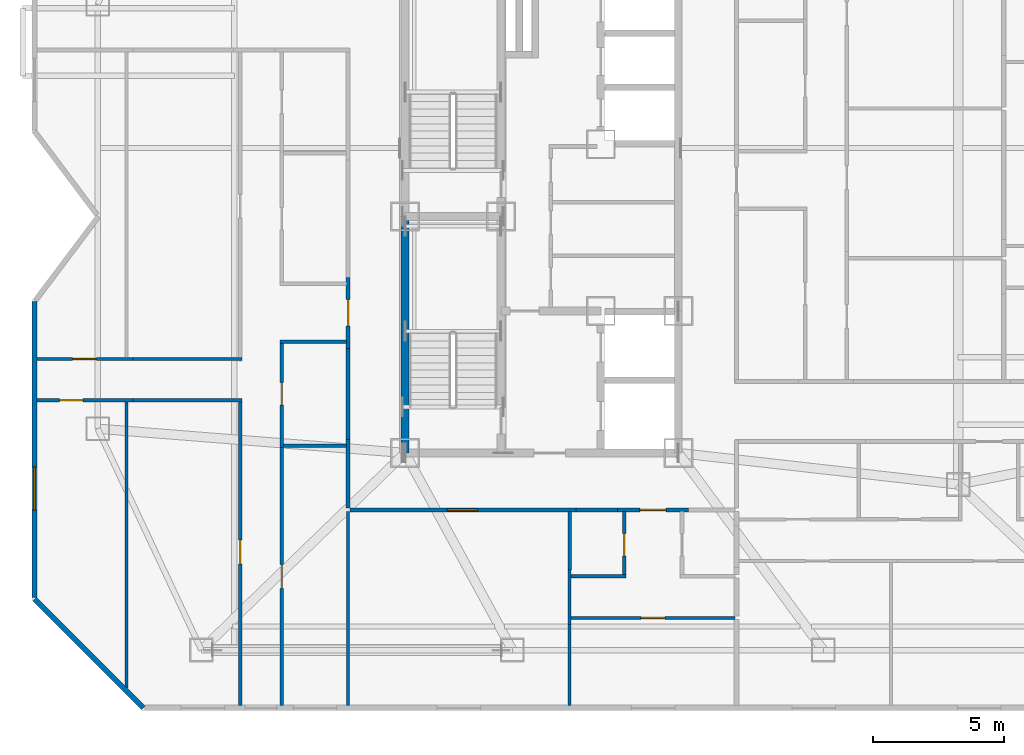
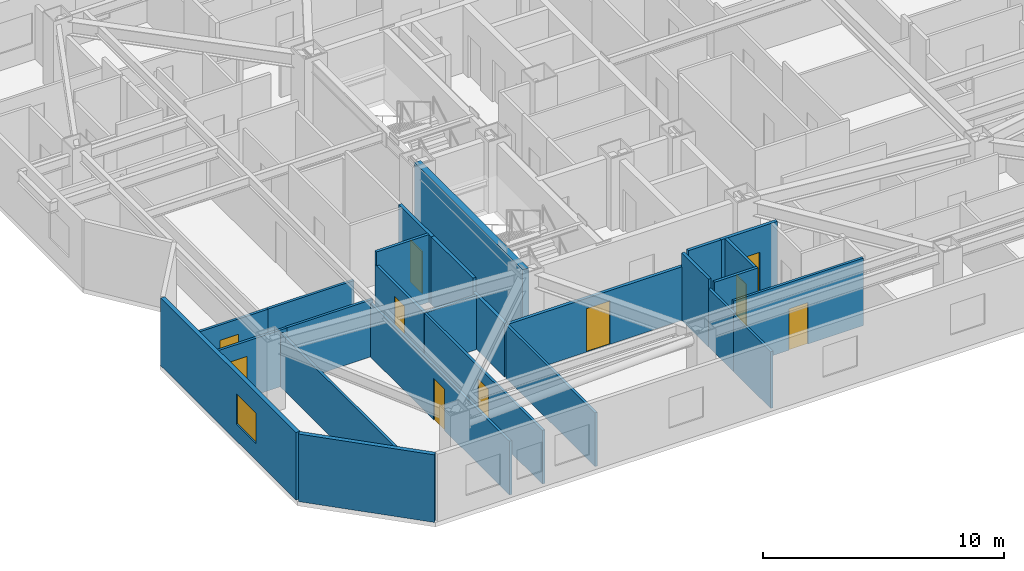
# One storey, part 5 of 12: 26 walls, 10 doors, 1 window, 11 openings.
"""IFC4 building model written with IfcOpenShell, lengths in metres."""

from ifc_helpers import new_model, si_unit, direction, frame, frame_2d, origin, place, context, subcontext, project, spatial, rectangle, extrude, material, layer, layer_set, type_object, element, fill, save


model = new_model("IFC4")

# Units and contexts
model_context = context("Model", 3, precision=1e-05, world=origin(), true_north=direction((0.0, 1.0)))
body_context = subcontext(model_context, "Body", "Model", "MODEL_VIEW")
ifc_project = project(units=[si_unit("LENGTHUNIT", "METRE"), si_unit("AREAUNIT", "SQUARE_METRE"), si_unit("VOLUMEUNIT", "CUBIC_METRE"), si_unit("PLANEANGLEUNIT", "RADIAN"), si_unit("MASSUNIT", "GRAM", prefix="KILO")], contexts=[model_context])

# Site, building, storey
site_placement = place(None, origin())
site = spatial("IfcSite", under=ifc_project, at=site_placement, CompositionType="ELEMENT")
building_placement = place(site_placement, origin())
building = spatial("IfcBuilding", under=site, at=building_placement, Name="Khamvora Tower", CompositionType="ELEMENT")
storey_placement = place(building_placement, frame((0.0, 0.0, 188.75)))
storey = spatial("IfcBuildingStorey", under=building, at=storey_placement, Name="L48", CompositionType="ELEMENT", Elevation=188.75)

# Wall
ifc_material_1 = material(Name="Concrete C50/60", Category="concrete")
ifc_layer_1 = layer(ifc_material_1, 0.300048828125)
ifc_layer_set_1 = layer_set([ifc_layer_1], Name="Concrete C50/60")
wall_type_1 = type_object("IfcWallType", Name="WAL-CORE-300", PredefinedType="SHEAR", material=ifc_layer_set_1)
wall_1_placement = place(storey_placement, frame((29.0, 19.0, 0.0), z_axis=(0.0, 0.0, 1.0), x_axis=(0.0, 1.0, 0.0)))
element("IfcWall", 1, at=wall_1_placement, inside=storey, type_object=wall_type_1, Name="L48 central core west south wall", PredefinedType="SHEAR", context=body_context, shape_type="SweptSolid", body=[
    extrude(rectangle(XDim=9.0, YDim=0.300048828125, at=frame_2d((4.5, 0.0))), origin(), (0.0, 0.0, 1.0), 3.429931640625),
])

# Wall, opening, door
ifc_material_2 = material(Name="Fire-Rated Drywall and Steel Stud", Category="steel")
ifc_layer_2 = layer(ifc_material_2, 0.14990234375)
ifc_layer_set_2 = layer_set([ifc_layer_2], Name="Fire-Rated Drywall and Steel Stud")
wall_type_2 = type_object("IfcWallType", Name="WAL-CORR-150", PredefinedType="STANDARD", material=ifc_layer_set_2)
wall_2_placement = place(storey_placement, frame((35.513916015625, 16.8349609375, 0.0), z_axis=(0.0, 0.0, 1.0), x_axis=(-1.0, 0.0, 0.0)))
wall_2 = element("IfcWall", 2, at=wall_2_placement, inside=storey, type_object=wall_type_2, Name="L48 interior partition wall 007", PredefinedType="STANDARD", context=body_context, shape_type="SweptSolid", body=[
    extrude(rectangle(XDim=8.614013671875, YDim=0.14990234375, at=frame_2d((4.30712890625, 0.0))), origin(), (0.0, 0.0, 1.0), 2.72509765625),
])
opening_1_placement = place(wall_2_placement, frame((3.7529296875, 0.0, 0.0)))
opening_1 = element("IfcOpeningElement", 3, at=opening_1_placement, cuts=wall_2, Name="Opening D-SC1", PredefinedType="OPENING", context=body_context, shape_type="SweptSolid", body=[
    extrude(rectangle(XDim=1.14990234375, YDim=2.199951171875, at=frame_2d((0.574951171875, 1.10009765625))), frame((0.0, 0.0849609375, 0.0), z_axis=(0.0, -1.0, 0.0), x_axis=(1.0, 0.0, 0.0)), (0.0, 0.0, 1.0), 0.169921875),
])
ifc_material_3 = material(Name="Powder-Coated Steel and Hardwood Leaf", Category="steel")
door_type_1 = type_object("IfcDoorType", Name="DOR-SCHL-1150", OperationType="NOTDEFINED", PredefinedType="DOOR", material=ifc_material_3)
door_1_placement = place(opening_1_placement, origin())
door_1 = element("IfcDoor", 4, at=door_1_placement, inside=storey, type_object=door_type_1, Name="L48 interior door COR-RCOW", OperationType="SINGLE_SWING_RIGHT", OverallHeight=2.199951171875, OverallWidth=1.14990234375, PredefinedType="DOOR", context=body_context, shape_type="SweptSolid", body=[
    extrude(rectangle(XDim=1.14990234375, YDim=2.199951171875, at=frame_2d((0.574951171875, 1.10009765625))), frame((0.0, 0.02490234375, 0.0), z_axis=(0.0, -1.0, 0.0), x_axis=(1.0, 0.0, 0.0)), (0.0, 0.0, 1.0), 0.050048828125),
])
fill(opening_1, door_1)

# Wall
wall_3_placement = place(storey_placement, frame((26.8349609375, 16.89990234375, 0.0), z_axis=(0.0, 0.0, 1.0), x_axis=(0.0, 1.0, 0.0)))
element("IfcWall", 5, at=wall_3_placement, inside=storey, type_object=wall_type_2, Name="L48 interior partition wall 008", PredefinedType="STANDARD", context=body_context, shape_type="SweptSolid", body=[
    extrude(rectangle(XDim=2.6181640625, YDim=0.14990234375, at=frame_2d((1.30908203125, 0.0))), origin(), (0.0, 0.0, 1.0), 2.72509765625),
])

# Wall, opening, door
wall_4_placement = place(storey_placement, frame((26.8349609375, 22.985107421875, 0.0), z_axis=(0.0, 0.0, 1.0), x_axis=(0.0, 1.0, 0.0)))
wall_4 = element("IfcWall", 6, at=wall_4_placement, inside=storey, type_object=wall_type_2, Name="L48 interior partition wall 011", PredefinedType="STANDARD", context=body_context, shape_type="SweptSolid", body=[
    extrude(rectangle(XDim=2.697998046875, YDim=0.14990234375, at=frame_2d((1.34912109375, 0.0))), origin(), (0.0, 0.0, 1.0), 3.429931640625),
])
opening_2_placement = place(wall_4_placement, frame((0.84912109375, 0.0, 0.0)))
opening_2 = element("IfcOpeningElement", 7, at=opening_2_placement, cuts=wall_4, Name="Opening D-U1", PredefinedType="OPENING", context=body_context, shape_type="SweptSolid", body=[
    extrude(rectangle(XDim=1.0, YDim=2.14990234375, at=frame_2d((0.5, 1.074951171875))), frame((0.0, 0.0849609375, 0.0), z_axis=(0.0, -1.0, 0.0), x_axis=(1.0, 0.0, 0.0)), (0.0, 0.0, 1.0), 0.169921875),
])
door_type_2 = type_object("IfcDoorType", Name="DOR-UNIT-1000", OperationType="NOTDEFINED", PredefinedType="DOOR", material=ifc_material_3)
door_2_placement = place(opening_2_placement, origin())
door_2 = element("IfcDoor", 8, at=door_2_placement, inside=storey, type_object=door_type_2, Name="L48 interior door COR-48WAH", OperationType="SINGLE_SWING_LEFT", OverallHeight=2.14990234375, OverallWidth=1.0, PredefinedType="DOOR", context=body_context, shape_type="SweptSolid", body=[
    extrude(rectangle(XDim=1.0, YDim=2.14990234375, at=frame_2d((0.5, 1.074951171875))), frame((0.0, 0.02490234375, 0.0), z_axis=(0.0, -1.0, 0.0), x_axis=(1.0, 0.0, 0.0)), (0.0, 0.0, 1.0), 0.050048828125),
])
fill(opening_2, door_2)

# Wall
wall_5_placement = place(storey_placement, frame((26.8349609375, 19.51806640625, 0.0), z_axis=(0.0, 0.0, 1.0), x_axis=(0.0, 1.0, 0.0)))
element("IfcWall", 9, at=wall_5_placement, inside=storey, type_object=wall_type_2, Name="L48 interior partition wall 013", PredefinedType="STANDARD", context=body_context, shape_type="SweptSolid", body=[
    extrude(rectangle(XDim=3.467041015625, YDim=0.14990234375, at=frame_2d((1.7333984375, 0.0))), origin(), (0.0, 0.0, 1.0), 3.429931640625),
])

# Wall, opening, door
wall_6_placement = place(storey_placement, frame((39.7890625, 16.8349609375, 0.0), z_axis=(0.0, 0.0, 1.0), x_axis=(-1.0, 0.0, 0.0)))
wall_6 = element("IfcWall", 10, at=wall_6_placement, inside=storey, type_object=wall_type_2, Name="L48 interior partition wall 022", PredefinedType="STANDARD", context=body_context, shape_type="SweptSolid", body=[
    extrude(rectangle(XDim=2.697998046875, YDim=0.14990234375, at=frame_2d((1.34912109375, 0.0))), origin(), (0.0, 0.0, 1.0), 3.429931640625),
])
opening_3_placement = place(wall_6_placement, frame((0.84912109375, 0.0, 0.0)))
opening_3 = element("IfcOpeningElement", 11, at=opening_3_placement, cuts=wall_6, Name="Opening D-U1", PredefinedType="OPENING", context=body_context, shape_type="SweptSolid", body=[
    extrude(rectangle(XDim=1.0, YDim=2.14990234375, at=frame_2d((0.5, 1.074951171875))), frame((0.0, 0.0849609375, 0.0), z_axis=(0.0, -1.0, 0.0), x_axis=(1.0, 0.0, 0.0)), (0.0, 0.0, 1.0), 0.169921875),
])
door_3_placement = place(opening_3_placement, origin())
door_3 = element("IfcDoor", 12, at=door_3_placement, inside=storey, type_object=door_type_2, Name="L48 interior door COR-48SAH", OperationType="SINGLE_SWING_RIGHT", OverallHeight=2.14990234375, OverallWidth=1.0, PredefinedType="DOOR", context=body_context, shape_type="SweptSolid", body=[
    extrude(rectangle(XDim=1.0, YDim=2.14990234375, at=frame_2d((0.5, 1.074951171875))), frame((0.0, 0.02490234375, 0.0), z_axis=(0.0, -1.0, 0.0), x_axis=(1.0, 0.0, 0.0)), (0.0, 0.0, 1.0), 0.050048828125),
])
fill(opening_3, door_3)

# Walls
wall_7_placement = place(storey_placement, frame((37.091064453125, 16.8349609375, 0.0), z_axis=(0.0, 0.0, 1.0), x_axis=(-1.0, 0.0, 0.0)))
element("IfcWall", 13, at=wall_7_placement, inside=storey, type_object=wall_type_2, Name="L48 interior partition wall 023", PredefinedType="STANDARD", context=body_context, shape_type="SweptSolid", body=[
    extrude(rectangle(XDim=1.5771484375, YDim=0.14990234375, at=frame_2d((0.78857421875, 0.0))), origin(), (0.0, 0.0, 1.0), 3.429931640625),
])
ifc_material_4 = material(Name="Precast concrete C40/50", Category="concrete")
ifc_layer_3 = layer(ifc_material_4, 0.199951171875)
ifc_layer_set_3 = layer_set([ifc_layer_3], Name="Precast concrete C40/50")
wall_type_3 = type_object("IfcWallType", Name="WAL-EXT-200", PredefinedType="STANDARD", material=ifc_layer_set_3)
wall_8_placement = place(storey_placement, frame((19.041015625, 9.300048828125, 0.0), z_axis=(0.0, 0.0, 1.0), x_axis=(-0.707127625344, 0.707085936414, 0.0)))
element("IfcWall", 14, at=wall_8_placement, inside=storey, type_object=wall_type_3, Name="L48 exterior facade wall 01.1", PredefinedType="STANDARD", context=body_context, shape_type="SweptSolid", body=[
    extrude(rectangle(XDim=5.856201171875, YDim=0.199951171875, at=frame_2d((2.92822265625, 0.0))), origin(), (0.0, 0.0, 1.0), 3.429931640625),
])

# Wall, opening, window
wall_9_placement = place(storey_placement, frame((14.89990234375, 13.50390625, 0.0), z_axis=(0.0, 0.0, 1.0), x_axis=(0.0, 1.0, 0.0)))
wall_9 = element("IfcWall", 15, at=wall_9_placement, inside=storey, type_object=wall_type_3, Name="L48 exterior facade wall 02.1", PredefinedType="STANDARD", context=body_context, shape_type="SweptSolid", body=[
    extrude(rectangle(XDim=11.26318359375, YDim=0.199951171875, at=frame_2d((5.631591796875, 0.0))), origin(), (0.0, 0.0, 1.0), 3.429931640625),
])
opening_4_placement = place(wall_9_placement, frame((3.318115234375, 0.0, 0.85009765625)))
opening_4 = element("IfcOpeningElement", 16, at=opening_4_placement, cuts=wall_9, Name="Opening WN-06", PredefinedType="OPENING", context=body_context, shape_type="SweptSolid", body=[
    extrude(rectangle(XDim=1.64990234375, YDim=1.550048828125, at=frame_2d((0.824951171875, 0.77490234375))), frame((0.0, 0.10986328125, 0.0), z_axis=(0.0, -1.0, 0.0), x_axis=(1.0, 0.0, 0.0)), (0.0, 0.0, 1.0), 0.219970703125),
])
ifc_material_5 = material(Name="Low-E Laminated Double Glazing", Category="glass")
window_type = type_object("IfcWindowType", Name="WIN-VIS-1650x1550", PartitioningType="SINGLE_PANEL", PredefinedType="WINDOW", material=ifc_material_5)
window_placement = place(opening_4_placement, origin())
window = element("IfcWindow", 17, at=window_placement, inside=storey, type_object=window_type, Name="L48 vision window 02.1.01", OverallHeight=1.550048828125, OverallWidth=1.64990234375, PartitioningType="SINGLE_PANEL", PredefinedType="WINDOW", context=body_context, shape_type="SweptSolid", body=[
    extrude(rectangle(XDim=1.64990234375, YDim=1.550048828125, at=frame_2d((0.824951171875, 0.77490234375))), frame((0.0, 0.030029296875, 0.0), z_axis=(0.0, -1.0, 0.0), x_axis=(1.0, 0.0, 0.0)), (0.0, 0.0, 1.0), 0.06005859375),
])
fill(opening_4, window)

# Walls
ifc_material_6 = material(Name="Gypsum Plasterboard Partition", Category="gypsum")
ifc_layer_4 = layer(ifc_material_6, 0.1201171875)
ifc_layer_set_4 = layer_set([ifc_layer_4], Name="Gypsum Plasterboard Partition")
wall_type_4 = type_object("IfcWallType", Name="WAL-PART-120", PredefinedType="PARTITIONING", material=ifc_layer_set_4)
wall_10_placement = place(storey_placement, frame((26.8349609375, 9.39208984375, 0.0), z_axis=(0.0, 0.0, 1.0), x_axis=(0.0, 1.0, 0.0)))
element("IfcWall", 18, at=wall_10_placement, inside=storey, type_object=wall_type_4, Name="L48 interior partition wall 044", PredefinedType="PARTITIONING", context=body_context, shape_type="SweptSolid", body=[
    extrude(rectangle(XDim=7.3779296875, YDim=0.1201171875, at=frame_2d((3.68896484375, 0.0))), origin(), (0.0, 0.0, 1.0), 2.72509765625),
])
wall_11_placement = place(storey_placement, frame((35.264892578125, 14.553955078125, 0.0), z_axis=(0.0, 0.0, 1.0), x_axis=(0.0, -1.0, 0.0)))
element("IfcWall", 19, at=wall_11_placement, inside=storey, type_object=wall_type_4, Name="L48 interior partition wall 045", PredefinedType="PARTITIONING", context=body_context, shape_type="SweptSolid", body=[
    extrude(rectangle(XDim=2.077880859375, YDim=0.1201171875, at=frame_2d((1.0390625, 0.0))), origin(), (0.0, 0.0, 1.0), 2.95703125),
])
wall_12_placement = place(storey_placement, frame((35.264892578125, 12.47607421875, 0.0), z_axis=(0.0, 0.0, 1.0), x_axis=(0.0, -1.0, 0.0)))
element("IfcWall", 20, at=wall_12_placement, inside=storey, type_object=wall_type_4, Name="L48 interior partition wall 047", PredefinedType="PARTITIONING", context=body_context, shape_type="SweptSolid", body=[
    extrude(rectangle(XDim=3.083984375, YDim=0.1201171875, at=frame_2d((1.5419921875, 0.0))), origin(), (0.0, 0.0, 1.0), 2.8759765625),
])

# Wall, opening, door
wall_13_placement = place(storey_placement, frame((24.304931640625, 9.39208984375, 0.0), z_axis=(0.0, 0.0, 1.0), x_axis=(0.0, 1.0, 0.0)))
wall_13 = element("IfcWall", 21, at=wall_13_placement, inside=storey, type_object=wall_type_4, Name="L48 interior partition wall 048", PredefinedType="PARTITIONING", context=body_context, shape_type="SweptSolid", body=[
    extrude(rectangle(XDim=9.81201171875, YDim=0.1201171875, at=frame_2d((4.906005859375, 0.0))), origin(), (0.0, 0.0, 1.0), 2.72509765625),
])
opening_5_placement = place(wall_13_placement, frame((4.4560546875, 0.0, 0.0)))
opening_5 = element("IfcOpeningElement", 22, at=opening_5_placement, cuts=wall_13, Name="Opening D-RM1", PredefinedType="OPENING", context=body_context, shape_type="SweptSolid", body=[
    extrude(rectangle(XDim=0.89990234375, YDim=2.10009765625, at=frame_2d((0.449951171875, 1.050048828125))), frame((0.0, 0.070068359375, 0.0), z_axis=(0.0, -1.0, 0.0), x_axis=(1.0, 0.0, 0.0)), (0.0, 0.0, 1.0), 0.14013671875),
])
door_type_3 = type_object("IfcDoorType", Name="DOR-ROOM-900", OperationType="NOTDEFINED", PredefinedType="DOOR", material=ifc_material_3)
door_4_placement = place(opening_5_placement, origin())
door_4 = element("IfcDoor", 23, at=door_4_placement, inside=storey, type_object=door_type_3, Name="L48 interior door 48WAW1-48WAH", OperationType="SINGLE_SWING_LEFT", OverallHeight=2.10009765625, OverallWidth=0.89990234375, PredefinedType="DOOR", context=body_context, shape_type="SweptSolid", body=[
    extrude(rectangle(XDim=0.89990234375, YDim=2.10009765625, at=frame_2d((0.449951171875, 1.050048828125))), frame((0.0, 0.02490234375, 0.0), z_axis=(0.0, -1.0, 0.0), x_axis=(1.0, 0.0, 0.0)), (0.0, 0.0, 1.0), 0.050048828125),
])
fill(opening_5, door_4)

wall_14_placement = place(storey_placement, frame((18.64990234375, 21.0048828125, 0.0), z_axis=(0.0, 0.0, 1.0), x_axis=(-1.0, 0.0, 0.0)))
wall_14 = element("IfcWall", 24, at=wall_14_placement, inside=storey, type_object=wall_type_4, Name="L48 interior partition wall 056", PredefinedType="PARTITIONING", context=body_context, shape_type="SweptSolid", body=[
    extrude(rectangle(XDim=3.657958984375, YDim=0.1201171875, at=frame_2d((1.8291015625, 0.0))), origin(), (0.0, 0.0, 1.0), 2.8759765625),
])
opening_6_placement = place(wall_14_placement, frame((1.89794921875, 0.0, 0.0)))
opening_6 = element("IfcOpeningElement", 25, at=opening_6_placement, cuts=wall_14, Name="Opening D-RM1", PredefinedType="OPENING", context=body_context, shape_type="SweptSolid", body=[
    extrude(rectangle(XDim=0.89990234375, YDim=2.10009765625, at=frame_2d((0.449951171875, 1.050048828125))), frame((0.0, 0.070068359375, 0.0), z_axis=(0.0, -1.0, 0.0), x_axis=(1.0, 0.0, 0.0)), (0.0, 0.0, 1.0), 0.14013671875),
])
door_5_placement = place(opening_6_placement, origin())
door_5 = element("IfcDoor", 26, at=door_5_placement, inside=storey, type_object=door_type_3, Name="L48 interior door 48WAH-48WAL", OperationType="SINGLE_SWING_RIGHT", OverallHeight=2.10009765625, OverallWidth=0.89990234375, PredefinedType="DOOR", context=body_context, shape_type="SweptSolid", body=[
    extrude(rectangle(XDim=0.89990234375, YDim=2.10009765625, at=frame_2d((0.449951171875, 1.050048828125))), frame((0.0, 0.02490234375, 0.0), z_axis=(0.0, -1.0, 0.0), x_axis=(1.0, 0.0, 0.0)), (0.0, 0.0, 1.0), 0.050048828125),
])
fill(opening_6, door_5)

wall_15_placement = place(storey_placement, frame((22.72509765625, 9.39208984375, 0.0), z_axis=(0.0, 0.0, 1.0), x_axis=(0.0, 1.0, 0.0)))
wall_15 = element("IfcWall", 27, at=wall_15_placement, inside=storey, type_object=wall_type_4, Name="L48 interior partition wall 057", PredefinedType="PARTITIONING", context=body_context, shape_type="SweptSolid", body=[
    extrude(rectangle(XDim=11.677978515625, YDim=0.1201171875, at=frame_2d((5.8388671875, 0.0))), origin(), (0.0, 0.0, 1.0), 2.72509765625),
])
opening_7_placement = place(wall_15_placement, frame((5.388916015625, 0.0, 0.0)))
opening_7 = element("IfcOpeningElement", 28, at=opening_7_placement, cuts=wall_15, Name="Opening D-RM1", PredefinedType="OPENING", context=body_context, shape_type="SweptSolid", body=[
    extrude(rectangle(XDim=0.89990234375, YDim=2.10009765625, at=frame_2d((0.449951171875, 1.050048828125))), frame((0.0, 0.070068359375, 0.0), z_axis=(0.0, -1.0, 0.0), x_axis=(1.0, 0.0, 0.0)), (0.0, 0.0, 1.0), 0.14013671875),
])
door_6_placement = place(opening_7_placement, origin())
door_6 = element("IfcDoor", 29, at=door_6_placement, inside=storey, type_object=door_type_3, Name="L48 interior door 48WAH-48WAR2", OperationType="SINGLE_SWING_RIGHT", OverallHeight=2.10009765625, OverallWidth=0.89990234375, PredefinedType="DOOR", context=body_context, shape_type="SweptSolid", body=[
    extrude(rectangle(XDim=0.89990234375, YDim=2.10009765625, at=frame_2d((0.449951171875, 1.050048828125))), frame((0.0, 0.02490234375, 0.0), z_axis=(0.0, -1.0, 0.0), x_axis=(1.0, 0.0, 0.0)), (0.0, 0.0, 1.0), 0.050048828125),
])
fill(opening_7, door_6)

# Wall
wall_16_placement = place(storey_placement, frame((22.7900390625, 21.0048828125, 0.0), z_axis=(0.0, 0.0, 1.0), x_axis=(-1.0, 0.0, 0.0)))
element("IfcWall", 30, at=wall_16_placement, inside=storey, type_object=wall_type_4, Name="L48 interior partition wall 058", PredefinedType="PARTITIONING", context=body_context, shape_type="SweptSolid", body=[
    extrude(rectangle(XDim=4.14013671875, YDim=0.1201171875, at=frame_2d((2.070068359375, 0.0))), origin(), (0.0, 0.0, 1.0), 2.886962890625),
])

# Wall, opening, door
wall_17_placement = place(storey_placement, frame((14.991943359375, 22.574951171875, 0.0), z_axis=(0.0, 0.0, 1.0), x_axis=(1.0, 0.0, 0.0)))
wall_17 = element("IfcWall", 31, at=wall_17_placement, inside=storey, type_object=wall_type_4, Name="L48 interior partition wall 059", PredefinedType="PARTITIONING", context=body_context, shape_type="SweptSolid", body=[
    extrude(rectangle(XDim=3.657958984375, YDim=0.1201171875, at=frame_2d((1.8291015625, 0.0))), origin(), (0.0, 0.0, 1.0), 2.8759765625),
])
opening_8_placement = place(wall_17_placement, frame((1.35791015625, 0.0, 0.0)))
opening_8 = element("IfcOpeningElement", 32, at=opening_8_placement, cuts=wall_17, Name="Opening D-RM1", PredefinedType="OPENING", context=body_context, shape_type="SweptSolid", body=[
    extrude(rectangle(XDim=0.89990234375, YDim=2.10009765625, at=frame_2d((0.449951171875, 1.050048828125))), frame((0.0, 0.070068359375, 0.0), z_axis=(0.0, -1.0, 0.0), x_axis=(1.0, 0.0, 0.0)), (0.0, 0.0, 1.0), 0.14013671875),
])
door_7_placement = place(opening_8_placement, origin())
door_7 = element("IfcDoor", 33, at=door_7_placement, inside=storey, type_object=door_type_3, Name="L48 interior door 48WAH-48WAR3", OperationType="SINGLE_SWING_LEFT", OverallHeight=2.10009765625, OverallWidth=0.89990234375, PredefinedType="DOOR", context=body_context, shape_type="SweptSolid", body=[
    extrude(rectangle(XDim=0.89990234375, YDim=2.10009765625, at=frame_2d((0.449951171875, 1.050048828125))), frame((0.0, 0.02490234375, 0.0), z_axis=(0.0, -1.0, 0.0), x_axis=(1.0, 0.0, 0.0)), (0.0, 0.0, 1.0), 0.050048828125),
])
fill(opening_8, door_7)

# Walls
wall_18_placement = place(storey_placement, frame((18.64990234375, 22.574951171875, 0.0), z_axis=(0.0, 0.0, 1.0), x_axis=(1.0, 0.0, 0.0)))
element("IfcWall", 34, at=wall_18_placement, inside=storey, type_object=wall_type_4, Name="L48 interior partition wall 060", PredefinedType="PARTITIONING", context=body_context, shape_type="SweptSolid", body=[
    extrude(rectangle(XDim=4.14013671875, YDim=0.1201171875, at=frame_2d((2.070068359375, 0.0))), origin(), (0.0, 0.0, 1.0), 2.886962890625),
])
wall_19_placement = place(storey_placement, frame((18.40087890625, 20.950927734375, 0.0), z_axis=(0.0, 0.0, 1.0), x_axis=(0.0, -1.0, 0.0)))
element("IfcWall", 35, at=wall_19_placement, inside=storey, type_object=wall_type_4, Name="L48 interior partition wall 062", PredefinedType="PARTITIONING", context=body_context, shape_type="SweptSolid", body=[
    extrude(rectangle(XDim=10.89599609375, YDim=0.1201171875, at=frame_2d((5.447998046875, 0.0))), origin(), (0.0, 0.0, 1.0), 2.72509765625),
])

# Wall, opening, door
wall_20_placement = place(storey_placement, frame((41.550048828125, 12.72509765625, 0.0), z_axis=(0.0, 0.0, 1.0), x_axis=(-1.0, 0.0, 0.0)))
wall_20 = element("IfcWall", 36, at=wall_20_placement, inside=storey, type_object=wall_type_4, Name="L48 interior partition wall 087", PredefinedType="PARTITIONING", context=body_context, shape_type="SweptSolid", body=[
    extrude(rectangle(XDim=6.23095703125, YDim=0.1201171875, at=frame_2d((3.115478515625, 0.0))), origin(), (0.0, 0.0, 1.0), 3.429931640625),
])
opening_9_placement = place(wall_20_placement, frame((2.6650390625, 0.0, 0.0)))
opening_9 = element("IfcOpeningElement", 37, at=opening_9_placement, cuts=wall_20, Name="Opening D-RM1", PredefinedType="OPENING", context=body_context, shape_type="SweptSolid", body=[
    extrude(rectangle(XDim=0.89990234375, YDim=2.10009765625, at=frame_2d((0.449951171875, 1.050048828125))), frame((0.0, 0.070068359375, 0.0), z_axis=(0.0, -1.0, 0.0), x_axis=(1.0, 0.0, 0.0)), (0.0, 0.0, 1.0), 0.14013671875),
])
door_8_placement = place(opening_9_placement, origin())
door_8 = element("IfcDoor", 38, at=door_8_placement, inside=storey, type_object=door_type_3, Name="L48 interior door 48SAH-48SAS", OperationType="SINGLE_SWING_LEFT", OverallHeight=2.10009765625, OverallWidth=0.89990234375, PredefinedType="DOOR", context=body_context, shape_type="SweptSolid", body=[
    extrude(rectangle(XDim=0.89990234375, YDim=2.10009765625, at=frame_2d((0.449951171875, 1.050048828125))), frame((0.0, 0.02490234375, 0.0), z_axis=(0.0, -1.0, 0.0), x_axis=(1.0, 0.0, 0.0)), (0.0, 0.0, 1.0), 0.050048828125),
])
fill(opening_9, door_8)

# Walls
ifc_material_7 = material(Name="Moisture-Resistant Plasterboard Partition", Category="gypsum")
ifc_layer_5 = layer(ifc_material_7, 0.135009765625)
ifc_layer_set_5 = layer_set([ifc_layer_5], Name="Moisture-Resistant Plasterboard Partition")
wall_type_5 = type_object("IfcWallType", Name="WAL-WET-135", PredefinedType="PARTITIONING", material=ifc_layer_set_5)
wall_21_placement = place(storey_placement, frame((35.264892578125, 16.77001953125, 0.0), z_axis=(0.0, 0.0, 1.0), x_axis=(0.0, -1.0, 0.0)))
element("IfcWall", 39, at=wall_21_placement, inside=storey, type_object=wall_type_5, Name="L48 interior partition wall 046", PredefinedType="PARTITIONING", context=body_context, shape_type="SweptSolid", body=[
    extrude(rectangle(XDim=2.216064453125, YDim=0.135009765625, at=frame_2d((1.10791015625, 0.0))), origin(), (0.0, 0.0, 1.0), 3.429931640625),
])
wall_22_placement = place(storey_placement, frame((24.3701171875, 19.26904296875, 0.0), z_axis=(0.0, 0.0, 1.0), x_axis=(1.0, 0.0, 0.0)))
element("IfcWall", 40, at=wall_22_placement, inside=storey, type_object=wall_type_5, Name="L48 interior partition wall 049", PredefinedType="PARTITIONING", context=body_context, shape_type="SweptSolid", body=[
    extrude(rectangle(XDim=2.39990234375, YDim=0.135009765625, at=frame_2d((1.199951171875, 0.0))), origin(), (0.0, 0.0, 1.0), 2.72509765625),
])
wall_23_placement = place(storey_placement, frame((26.77001953125, 23.23388671875, 0.0), z_axis=(0.0, 0.0, 1.0), x_axis=(-1.0, 0.0, 0.0)))
element("IfcWall", 41, at=wall_23_placement, inside=storey, type_object=wall_type_5, Name="L48 interior partition wall 052", PredefinedType="PARTITIONING", context=body_context, shape_type="SweptSolid", body=[
    extrude(rectangle(XDim=2.530029296875, YDim=0.135009765625, at=frame_2d((1.26513671875, 0.0))), origin(), (0.0, 0.0, 1.0), 3.429931640625),
])

# Wall, opening, door
wall_24_placement = place(storey_placement, frame((24.304931640625, 23.299072265625, 0.0), z_axis=(0.0, 0.0, 1.0), x_axis=(0.0, -1.0, 0.0)))
wall_24 = element("IfcWall", 42, at=wall_24_placement, inside=storey, type_object=wall_type_5, Name="L48 interior partition wall 053", PredefinedType="PARTITIONING", context=body_context, shape_type="SweptSolid", body=[
    extrude(rectangle(XDim=4.094970703125, YDim=0.135009765625, at=frame_2d((2.04736328125, 0.0))), origin(), (0.0, 0.0, 1.0), 2.72509765625),
])
opening_10_placement = place(wall_24_placement, frame((1.6220703125, 0.0, 0.0)))
opening_10 = element("IfcOpeningElement", 43, at=opening_10_placement, cuts=wall_24, Name="Opening D-WC1", PredefinedType="OPENING", context=body_context, shape_type="SweptSolid", body=[
    extrude(rectangle(XDim=0.85009765625, YDim=2.10009765625, at=frame_2d((0.425048828125, 1.050048828125))), frame((0.0, 0.077392578125, 0.0), z_axis=(0.0, -1.0, 0.0), x_axis=(1.0, 0.0, 0.0)), (0.0, 0.0, 1.0), 0.155029296875),
])
door_type_4 = type_object("IfcDoorType", Name="DOR-WET-850", OperationType="NOTDEFINED", PredefinedType="DOOR", material=ifc_material_3)
door_9_placement = place(opening_10_placement, origin())
door_9 = element("IfcDoor", 44, at=door_9_placement, inside=storey, type_object=door_type_4, Name="L48 interior door 48WAH-48WAB", OperationType="SINGLE_SWING_LEFT", OverallHeight=2.10009765625, OverallWidth=0.85009765625, PredefinedType="DOOR", context=body_context, shape_type="SweptSolid", body=[
    extrude(rectangle(XDim=0.85009765625, YDim=2.10009765625, at=frame_2d((0.425048828125, 1.050048828125))), frame((0.0, 0.02490234375, 0.0), z_axis=(0.0, -1.0, 0.0), x_axis=(1.0, 0.0, 0.0)), (0.0, 0.0, 1.0), 0.050048828125),
])
fill(opening_10, door_9)

# Wall
wall_25_placement = place(storey_placement, frame((35.319091796875, 14.304931640625, 0.0), z_axis=(0.0, 0.0, 1.0), x_axis=(1.0, 0.0, 0.0)))
element("IfcWall", 45, at=wall_25_placement, inside=storey, type_object=wall_type_5, Name="L48 interior partition wall 083", PredefinedType="PARTITIONING", context=body_context, shape_type="SweptSolid", body=[
    extrude(rectangle(XDim=2.0859375, YDim=0.135009765625, at=frame_2d((1.04296875, 0.0))), origin(), (0.0, 0.0, 1.0), 3.429931640625),
])

# Wall, opening, door
wall_26_placement = place(storey_placement, frame((37.340087890625, 14.239990234375, 0.0), z_axis=(0.0, 0.0, 1.0), x_axis=(0.0, 1.0, 0.0)))
wall_26 = element("IfcWall", 46, at=wall_26_placement, inside=storey, type_object=wall_type_5, Name="L48 interior partition wall 084", PredefinedType="PARTITIONING", context=body_context, shape_type="SweptSolid", body=[
    extrude(rectangle(XDim=2.530029296875, YDim=0.135009765625, at=frame_2d((1.26513671875, 0.0))), origin(), (0.0, 0.0, 1.0), 3.429931640625),
])
opening_11_placement = place(wall_26_placement, frame((0.840087890625, 0.0, 0.0)))
opening_11 = element("IfcOpeningElement", 47, at=opening_11_placement, cuts=wall_26, Name="Opening D-WC1", PredefinedType="OPENING", context=body_context, shape_type="SweptSolid", body=[
    extrude(rectangle(XDim=0.85009765625, YDim=2.10009765625, at=frame_2d((0.425048828125, 1.050048828125))), frame((0.0, 0.077392578125, 0.0), z_axis=(0.0, -1.0, 0.0), x_axis=(1.0, 0.0, 0.0)), (0.0, 0.0, 1.0), 0.155029296875),
])
door_10_placement = place(opening_11_placement, origin())
door_10 = element("IfcDoor", 48, at=door_10_placement, inside=storey, type_object=door_type_4, Name="L48 interior door 48SAH-48SAB", OperationType="SINGLE_SWING_LEFT", OverallHeight=2.10009765625, OverallWidth=0.85009765625, PredefinedType="DOOR", context=body_context, shape_type="SweptSolid", body=[
    extrude(rectangle(XDim=0.85009765625, YDim=2.10009765625, at=frame_2d((0.425048828125, 1.050048828125))), frame((0.0, 0.02490234375, 0.0), z_axis=(0.0, -1.0, 0.0), x_axis=(1.0, 0.0, 0.0)), (0.0, 0.0, 1.0), 0.050048828125),
])
fill(opening_11, door_10)

save(model, "model.ifc")
